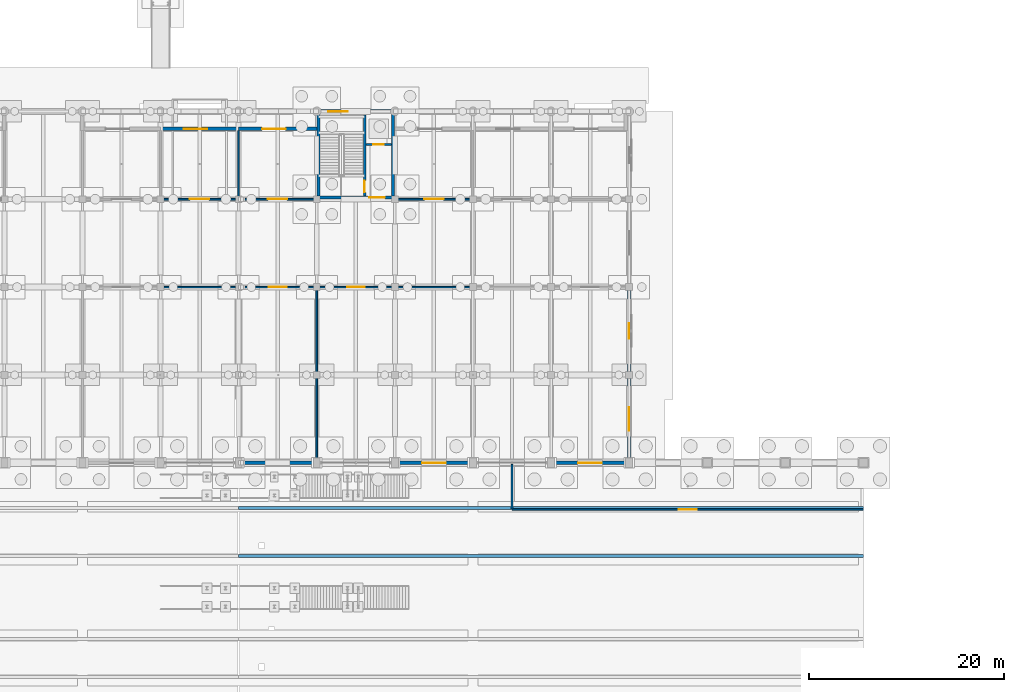
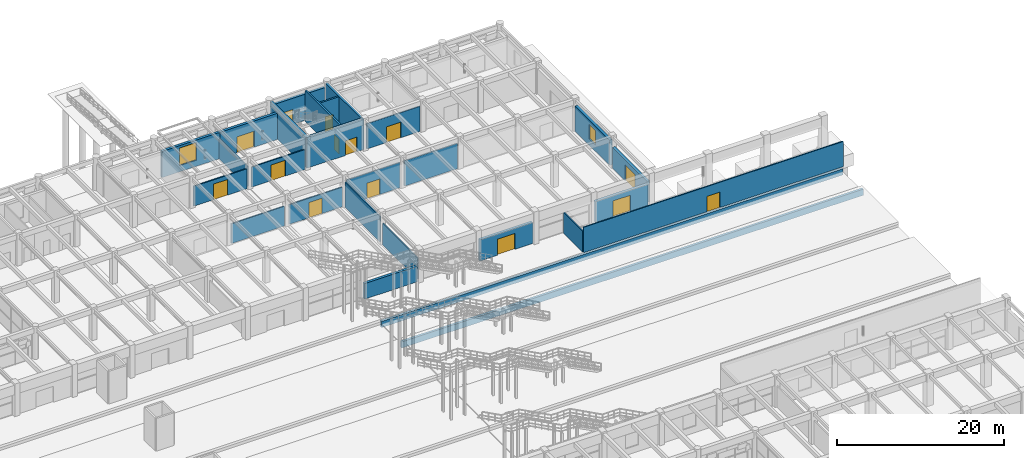
# One storey, part 111 of 147: 27 walls, 14 doors, 2 windows, 16 openings.
"""IFC4 building model written with IfcOpenShell, lengths in metres."""

from ifc_helpers import new_model, si_unit, direction, frame, frame_2d, origin, place, context, subcontext, project, spatial, rectangle, extrude, material, layer, layer_set, type_object, element, fill, save


model = new_model("IFC4")

# Units and contexts
model_context = context("Model", 3, precision=1e-05, world=origin(), true_north=direction((0.0, 1.0)))
body_context = subcontext(model_context, "Body", "Model", "MODEL_VIEW")
ifc_project = project(units=[si_unit("LENGTHUNIT", "METRE"), si_unit("AREAUNIT", "SQUARE_METRE"), si_unit("VOLUMEUNIT", "CUBIC_METRE"), si_unit("PLANEANGLEUNIT", "RADIAN"), si_unit("MASSUNIT", "GRAM", prefix="KILO")], contexts=[model_context])

# Site, building, storey
site_placement = place(None, origin())
site = spatial("IfcSite", under=ifc_project, at=site_placement, CompositionType="ELEMENT")
building_placement = place(site_placement, origin())
building = spatial("IfcBuilding", under=site, at=building_placement, Name="Varnabhumi Central Station", CompositionType="ELEMENT")
storey_placement = place(building_placement, origin())
storey = spatial("IfcBuildingStorey", under=building, at=storey_placement, Name="L00", CompositionType="ELEMENT", Elevation=0.0)

# Walls
ifc_material_1 = material(Name="Concrete M40", Category="concrete")
ifc_layer_1 = layer(ifc_material_1, 0.300048828125, Name="Concrete M40", Category="concrete")
ifc_layer_set_1 = layer_set([ifc_layer_1], Name="Concrete M40")
wall_type_1 = type_object("IfcWallType", Name="WAL-CORE-RC-300", PredefinedType="SHEAR", material=ifc_layer_set_1)
for number, where, z_axis, x_axis, name in (
    (1, (128.179931640625, 107.179931640625, 0.0), (0.0, 0.0, 1.0), (0.0, 1.0, 0.0), "NC3 L00 West Shear Wall"),
    (2, (135.820068359375, 107.179931640625, 0.0), (0.0, 0.0, 1.0), (0.0, 1.0, 0.0), "NC3 L00 East Shear Wall"),
):
    element("IfcWall", number, at=place(storey_placement, frame(where, z_axis=z_axis, x_axis=x_axis)), inside=storey, type_object=wall_type_1, Name=name, PredefinedType="SHEAR", context=body_context, shape_type="SweptSolid", body=[
        extrude(rectangle(XDim=8.64013671875, YDim=0.300048828125, at=frame_2d((4.320068359375, 0.0))), origin(), (0.0, 0.0, 1.0), 4.52001953125),
    ])

# Wall, opening, door
wall_1_placement = place(storey_placement, frame((128.030029296875, 107.179931640625, 0.0), z_axis=(0.0, 0.0, 1.0), x_axis=(1.0, 0.0, 0.0)))
wall_1 = element("IfcWall", 3, at=wall_1_placement, inside=storey, type_object=wall_type_1, Name="NC3 L00 Corridor Shear Wall", PredefinedType="SHEAR", context=body_context, shape_type="SweptSolid", body=[
    extrude(rectangle(XDim=7.93994140625, YDim=0.300048828125, at=frame_2d((3.969970703125, 0.0))), origin(), (0.0, 0.0, 1.0), 4.52001953125),
])
opening_1_placement = place(wall_1_placement, frame((5.35009765625, 0.0, 0.0)))
opening_1 = element("IfcOpeningElement", 4, at=opening_1_placement, cuts=wall_1, Name="Opening FD-60D", PredefinedType="OPENING", context=body_context, shape_type="SweptSolid", body=[
    extrude(rectangle(XDim=1.60009765625, YDim=2.14990234375, at=frame_2d((0.800048828125, 1.074951171875))), frame((0.0, 0.159912109375, 0.0), z_axis=(0.0, -1.0, 0.0), x_axis=(1.0, 0.0, 0.0)), (0.0, 0.0, 1.0), 0.320068359375),
])
ifc_material_2 = material(Name="Intumescent-treated hardwood timber", Category="wood")
door_type_1 = type_object("IfcDoorType", Name="DR-FIRE-60-1600", OperationType="NOTDEFINED", PredefinedType="DOOR", material=ifc_material_2)
door_1_placement = place(opening_1_placement, frame((1.60009765625, 0.0, 0.0), z_axis=(0.0, 0.0, 1.0), x_axis=(-1.0, 0.0, 0.0)))
door_1 = element("IfcDoor", 5, at=door_1_placement, inside=storey, type_object=door_type_1, Name="NC3 L00 Lobby Fire Door", OperationType="DOUBLE_DOOR_SINGLE_SWING", OverallHeight=2.14990234375, OverallWidth=1.60009765625, PredefinedType="DOOR", context=body_context, shape_type="SweptSolid", body=[
    extrude(rectangle(XDim=1.60009765625, YDim=2.14990234375, at=frame_2d((0.800048828125, 1.074951171875))), frame((0.0, 0.02490234375, 0.0), z_axis=(0.0, -1.0, 0.0), x_axis=(1.0, 0.0, 0.0)), (0.0, 0.0, 1.0), 0.050048828125),
])
fill(opening_1, door_1)

# Wall, opening, window
ifc_material_3 = material(Name="Chunar sandstone masonry", Category="masonry")
ifc_layer_2 = layer(ifc_material_3, 0.360107421875, Name="Chunar sandstone masonry", Category="masonry")
ifc_layer_set_2 = layer_set([ifc_layer_2], Name="Chunar sandstone masonry")
wall_type_2 = type_object("IfcWallType", Name="WAL-EXT-SANDSTONE-360", PredefinedType="SOLIDWALL", material=ifc_layer_set_2)
wall_2_placement = place(storey_placement, frame((112.0, 114.199951171875, 0.0), z_axis=(0.0, 0.0, 1.0), x_axis=(1.0, 0.0, 0.0)))
wall_2 = element("IfcWall", 6, at=wall_2_placement, inside=storey, type_object=wall_type_2, Name="North Boulevard Wall L00-15", PredefinedType="SOLIDWALL", context=body_context, shape_type="SweptSolid", body=[
    extrude(rectangle(XDim=8.0, YDim=0.360107421875, at=frame_2d((4.0, 0.0))), origin(), (0.0, 0.0, 1.0), 3.840087890625),
])
opening_2_placement = place(wall_2_placement, frame((2.39990234375, 0.0, 0.89990234375)))
opening_2 = element("IfcOpeningElement", 7, at=opening_2_placement, cuts=wall_2, Name="Opening W-01", PredefinedType="OPENING", context=body_context, shape_type="SweptSolid", body=[
    extrude(rectangle(XDim=2.39990234375, YDim=2.60009765625, at=frame_2d((1.199951171875, 1.300048828125))), frame((0.0, 0.18994140625, 0.0), z_axis=(0.0, -1.0, 0.0), x_axis=(1.0, 0.0, 0.0)), (0.0, 0.0, 1.0), 0.380126953125),
])
ifc_material_4 = material(Name="Laminated low-E double glazing", Category="glass")
window_type_1 = type_object("IfcWindowType", Name="WIN-ARCADE-2400x2600", PartitioningType="DOUBLE_PANEL_VERTICAL", PredefinedType="WINDOW", material=ifc_material_4)
window_1_placement = place(opening_2_placement, origin())
window_1 = element("IfcWindow", 8, at=window_1_placement, inside=storey, type_object=window_type_1, Name="North Arcade Window L00-15", OverallHeight=2.60009765625, OverallWidth=2.39990234375, PartitioningType="SINGLE_PANEL", PredefinedType="WINDOW", context=body_context, shape_type="SweptSolid", body=[
    extrude(rectangle(XDim=2.39990234375, YDim=2.60009765625, at=frame_2d((1.199951171875, 1.300048828125))), frame((0.0, 0.030029296875, 0.0), z_axis=(0.0, -1.0, 0.0), x_axis=(1.0, 0.0, 0.0)), (0.0, 0.0, 1.0), 0.06005859375),
])
fill(opening_2, window_1)

# Wall, opening, door
wall_3_placement = place(storey_placement, frame((120.0, 114.199951171875, 0.0), z_axis=(0.0, 0.0, 1.0), x_axis=(1.0, 0.0, 0.0)))
wall_3 = element("IfcWall", 9, at=wall_3_placement, inside=storey, type_object=wall_type_2, Name="North Boulevard Wall L00-16", PredefinedType="SOLIDWALL", context=body_context, shape_type="SweptSolid", body=[
    extrude(rectangle(XDim=8.0, YDim=0.360107421875, at=frame_2d((4.0, 0.0))), origin(), (0.0, 0.0, 1.0), 3.840087890625),
])
opening_3_placement = place(wall_3_placement, frame((2.39990234375, 0.0, 0.0)))
opening_3 = element("IfcOpeningElement", 10, at=opening_3_placement, cuts=wall_3, Name="Opening ED-1", PredefinedType="OPENING", context=body_context, shape_type="SweptSolid", body=[
    extrude(rectangle(XDim=2.39990234375, YDim=2.35009765625, at=frame_2d((1.199951171875, 1.175048828125))), frame((0.0, 0.18994140625, 0.0), z_axis=(0.0, -1.0, 0.0), x_axis=(1.0, 0.0, 0.0)), (0.0, 0.0, 1.0), 0.380126953125),
])
ifc_material_5 = material(Name="Anodised aluminium 6063-T6", Category="aluminium")
door_type_2 = type_object("IfcDoorType", Name="DR-EXT-PORTAL-2400", OperationType="NOTDEFINED", PredefinedType="DOOR", material=ifc_material_5)
door_2_placement = place(opening_3_placement, origin())
door_2 = element("IfcDoor", 11, at=door_2_placement, inside=storey, type_object=door_type_2, Name="North Boulevard Portal Entrance 16", OperationType="DOUBLE_DOOR_SINGLE_SWING", OverallHeight=2.35009765625, OverallWidth=2.39990234375, PredefinedType="DOOR", context=body_context, shape_type="SweptSolid", body=[
    extrude(rectangle(XDim=2.39990234375, YDim=2.35009765625, at=frame_2d((1.199951171875, 1.175048828125))), frame((0.0, 0.02490234375, 0.0), z_axis=(0.0, -1.0, 0.0), x_axis=(1.0, 0.0, 0.0)), (0.0, 0.0, 1.0), 0.050048828125),
])
fill(opening_3, door_2)

# Wall
wall_4_placement = place(storey_placement, frame((120.344970703125, 80.0, 0.0), z_axis=(0.0, 0.0, 1.0), x_axis=(1.0, 0.0, 0.0)))
element("IfcWall", 12, at=wall_4_placement, inside=storey, type_object=wall_type_2, Name="North Spine Wall L00-16", PredefinedType="SOLIDWALL", context=body_context, shape_type="SweptSolid", body=[
    extrude(rectangle(XDim=7.31005859375, YDim=0.360107421875, at=frame_2d((3.655029296875, 0.0))), origin(), (0.0, 0.0, 1.0), 2.280029296875),
])

# Wall, opening, door
wall_5_placement = place(storey_placement, frame((128.39990234375, 116.0, 0.0), z_axis=(0.0, 0.0, 1.0), x_axis=(1.0, 0.0, 0.0)))
wall_5 = element("IfcWall", 13, at=wall_5_placement, inside=storey, type_object=wall_type_2, Name="North Boulevard Wall L00-17", PredefinedType="SOLIDWALL", context=body_context, shape_type="SweptSolid", body=[
    extrude(rectangle(XDim=7.2001953125, YDim=0.360107421875, at=frame_2d((3.60009765625, 0.0))), origin(), (0.0, 0.0, 1.0), 3.840087890625),
])
opening_4_placement = place(wall_5_placement, frame((0.800048828125, 0.0, 0.0)))
opening_4 = element("IfcOpeningElement", 14, at=opening_4_placement, cuts=wall_5, Name="Opening ED-2", PredefinedType="OPENING", context=body_context, shape_type="SweptSolid", body=[
    extrude(rectangle(XDim=2.0, YDim=2.199951171875, at=frame_2d((1.0, 1.10009765625))), frame((0.0, 0.18994140625, 0.0), z_axis=(0.0, -1.0, 0.0), x_axis=(1.0, 0.0, 0.0)), (0.0, 0.0, 1.0), 0.380126953125),
])
ifc_material_6 = material(Name="Stainless steel Grade 316", Category="steel")
door_type_3 = type_object("IfcDoorType", Name="DR-EXT-EXIT-2000", OperationType="NOTDEFINED", PredefinedType="DOOR", material=ifc_material_6)
door_3_placement = place(opening_4_placement, origin())
door_3 = element("IfcDoor", 15, at=door_3_placement, inside=storey, type_object=door_type_3, Name="North Core Stair Final Exit 128", OperationType="DOUBLE_DOOR_SINGLE_SWING", OverallHeight=2.199951171875, OverallWidth=2.0, PredefinedType="DOOR", context=body_context, shape_type="SweptSolid", body=[
    extrude(rectangle(XDim=2.0, YDim=2.199951171875, at=frame_2d((1.0, 1.10009765625))), frame((0.0, 0.02490234375, 0.0), z_axis=(0.0, -1.0, 0.0), x_axis=(1.0, 0.0, 0.0)), (0.0, 0.0, 1.0), 0.050048828125),
])
fill(opening_4, door_3)

wall_6_placement = place(storey_placement, frame((136.344970703125, 80.0, 0.0), z_axis=(0.0, 0.0, 1.0), x_axis=(1.0, 0.0, 0.0)))
wall_6 = element("IfcWall", 16, at=wall_6_placement, inside=storey, type_object=wall_type_2, Name="North Spine Wall L00-18", PredefinedType="SOLIDWALL", context=body_context, shape_type="SweptSolid", body=[
    extrude(rectangle(XDim=7.31005859375, YDim=0.360107421875, at=frame_2d((3.655029296875, 0.0))), origin(), (0.0, 0.0, 1.0), 3.110107421875),
])
opening_5_placement = place(wall_6_placement, frame((2.455078125, 0.0, 0.0)))
opening_5 = element("IfcOpeningElement", 17, at=opening_5_placement, cuts=wall_6, Name="Opening ED-1", PredefinedType="OPENING", context=body_context, shape_type="SweptSolid", body=[
    extrude(rectangle(XDim=2.39990234375, YDim=2.35009765625, at=frame_2d((1.199951171875, 1.175048828125))), frame((0.0, 0.18994140625, 0.0), z_axis=(0.0, -1.0, 0.0), x_axis=(1.0, 0.0, 0.0)), (0.0, 0.0, 1.0), 0.380126953125),
])
door_4_placement = place(opening_5_placement, frame((2.39990234375, 0.0, 0.0), z_axis=(0.0, 0.0, 1.0), x_axis=(-1.0, 0.0, 0.0)))
door_4 = element("IfcDoor", 18, at=door_4_placement, inside=storey, type_object=door_type_2, Name="North Spine Portal Door L00-18", OperationType="DOUBLE_DOOR_SINGLE_SWING", OverallHeight=2.35009765625, OverallWidth=2.39990234375, PredefinedType="DOOR", context=body_context, shape_type="SweptSolid", body=[
    extrude(rectangle(XDim=2.39990234375, YDim=2.35009765625, at=frame_2d((1.199951171875, 1.175048828125))), frame((0.0, 0.02490234375, 0.0), z_axis=(0.0, -1.0, 0.0), x_axis=(1.0, 0.0, 0.0)), (0.0, 0.0, 1.0), 0.050048828125),
])
fill(opening_5, door_4)

wall_7_placement = place(storey_placement, frame((152.344970703125, 80.0, 0.0), z_axis=(0.0, 0.0, 1.0), x_axis=(1.0, 0.0, 0.0)))
wall_7 = element("IfcWall", 19, at=wall_7_placement, inside=storey, type_object=wall_type_2, Name="North Spine Wall L00-20", PredefinedType="SOLIDWALL", context=body_context, shape_type="SweptSolid", body=[
    extrude(rectangle(XDim=7.31005859375, YDim=0.360107421875, at=frame_2d((3.655029296875, 0.0))), origin(), (0.0, 0.0, 1.0), 3.110107421875),
])
opening_6_placement = place(wall_7_placement, frame((2.455078125, 0.0, 0.0)))
opening_6 = element("IfcOpeningElement", 20, at=opening_6_placement, cuts=wall_7, Name="Opening ED-1", PredefinedType="OPENING", context=body_context, shape_type="SweptSolid", body=[
    extrude(rectangle(XDim=2.39990234375, YDim=2.35009765625, at=frame_2d((1.199951171875, 1.175048828125))), frame((0.0, 0.18994140625, 0.0), z_axis=(0.0, -1.0, 0.0), x_axis=(1.0, 0.0, 0.0)), (0.0, 0.0, 1.0), 0.380126953125),
])
door_5_placement = place(opening_6_placement, frame((2.39990234375, 0.0, 0.0), z_axis=(0.0, 0.0, 1.0), x_axis=(-1.0, 0.0, 0.0)))
door_5 = element("IfcDoor", 21, at=door_5_placement, inside=storey, type_object=door_type_2, Name="North Spine Portal Door L00-20", OperationType="DOUBLE_DOOR_SINGLE_SWING", OverallHeight=2.35009765625, OverallWidth=2.39990234375, PredefinedType="DOOR", context=body_context, shape_type="SweptSolid", body=[
    extrude(rectangle(XDim=2.39990234375, YDim=2.35009765625, at=frame_2d((1.199951171875, 1.175048828125))), frame((0.0, 0.02490234375, 0.0), z_axis=(0.0, -1.0, 0.0), x_axis=(1.0, 0.0, 0.0)), (0.0, 0.0, 1.0), 0.050048828125),
])
fill(opening_6, door_5)

wall_8_placement = place(storey_placement, frame((160.0, 80.39990234375, 0.0), z_axis=(0.0, 0.0, 1.0), x_axis=(0.0, 1.0, 0.0)))
wall_8 = element("IfcWall", 22, at=wall_8_placement, inside=storey, type_object=wall_type_2, Name="North Wing W End Wall L00-1", PredefinedType="SOLIDWALL", context=body_context, shape_type="SweptSolid", body=[
    extrude(rectangle(XDim=8.255126953125, YDim=0.360107421875, at=frame_2d((4.12744140625, 0.0))), origin(), (0.0, 0.0, 1.0), 3.110107421875),
])
opening_7_placement = place(wall_8_placement, frame((2.89990234375, 0.0, 0.0)))
opening_7 = element("IfcOpeningElement", 23, at=opening_7_placement, cuts=wall_8, Name="Opening ED-1", PredefinedType="OPENING", context=body_context, shape_type="SweptSolid", body=[
    extrude(rectangle(XDim=2.39990234375, YDim=2.35009765625, at=frame_2d((1.199951171875, 1.175048828125))), frame((0.0, 0.18994140625, 0.0), z_axis=(0.0, -1.0, 0.0), x_axis=(1.0, 0.0, 0.0)), (0.0, 0.0, 1.0), 0.380126953125),
])
door_6_placement = place(opening_7_placement, origin())
door_6 = element("IfcDoor", 24, at=door_6_placement, inside=storey, type_object=door_type_2, Name="North Wing W Street Entrance 1", OperationType="DOUBLE_DOOR_SINGLE_SWING", OverallHeight=2.35009765625, OverallWidth=2.39990234375, PredefinedType="DOOR", context=body_context, shape_type="SweptSolid", body=[
    extrude(rectangle(XDim=2.39990234375, YDim=2.35009765625, at=frame_2d((1.199951171875, 1.175048828125))), frame((0.0, 0.02490234375, 0.0), z_axis=(0.0, -1.0, 0.0), x_axis=(1.0, 0.0, 0.0)), (0.0, 0.0, 1.0), 0.050048828125),
])
fill(opening_7, door_6)

# Wall, opening, window
wall_9_placement = place(storey_placement, frame((160.0, 89.344970703125, 0.0), z_axis=(0.0, 0.0, 1.0), x_axis=(0.0, 1.0, 0.0)))
wall_9 = element("IfcWall", 25, at=wall_9_placement, inside=storey, type_object=wall_type_2, Name="North Wing W End Wall L00-2", PredefinedType="SOLIDWALL", context=body_context, shape_type="SweptSolid", body=[
    extrude(rectangle(XDim=8.31005859375, YDim=0.360107421875, at=frame_2d((4.155029296875, 0.0))), origin(), (0.0, 0.0, 1.0), 3.7099609375),
])
opening_8_placement = place(wall_9_placement, frame((3.35498046875, 0.0, 0.949951171875)))
opening_8 = element("IfcOpeningElement", 26, at=opening_8_placement, cuts=wall_9, Name="Opening W-04", PredefinedType="OPENING", context=body_context, shape_type="SweptSolid", body=[
    extrude(rectangle(XDim=1.60009765625, YDim=2.10009765625, at=frame_2d((0.800048828125, 1.050048828125))), frame((0.0, 0.18994140625, 0.0), z_axis=(0.0, -1.0, 0.0), x_axis=(1.0, 0.0, 0.0)), (0.0, 0.0, 1.0), 0.380126953125),
])
window_type_2 = type_object("IfcWindowType", Name="WIN-PIER-1600x2200", PartitioningType="SINGLE_PANEL", PredefinedType="WINDOW", material=ifc_material_4)
window_2_placement = place(opening_8_placement, origin())
window_2 = element("IfcWindow", 27, at=window_2_placement, inside=storey, type_object=window_type_2, Name="North W Window L00-2", OverallHeight=2.10009765625, OverallWidth=1.60009765625, PartitioningType="SINGLE_PANEL", PredefinedType="WINDOW", context=body_context, shape_type="SweptSolid", body=[
    extrude(rectangle(XDim=1.60009765625, YDim=2.10009765625, at=frame_2d((0.800048828125, 1.050048828125))), frame((0.0, 0.030029296875, 0.0), z_axis=(0.0, -1.0, 0.0), x_axis=(1.0, 0.0, 0.0)), (0.0, 0.0, 1.0), 0.06005859375),
])
fill(opening_8, window_2)

# Wall, opening, door
ifc_material_7 = material(Name="Autoclaved aerated blockwork masonry", Category="masonry")
ifc_layer_3 = layer(ifc_material_7, 0.159912109375, Name="Autoclaved aerated blockwork masonry", Category="masonry")
ifc_layer_set_3 = layer_set([ifc_layer_3], Name="Autoclaved aerated blockwork masonry")
wall_type_3 = type_object("IfcWallType", Name="WAL-PART-AAC-160", PredefinedType="PARTITIONING", material=ifc_layer_set_3)
wall_10_placement = place(storey_placement, frame((112.300048828125, 107.0, 0.0), z_axis=(0.0, 0.0, 1.0), x_axis=(1.0, 0.0, 0.0)))
wall_10 = element("IfcWall", 28, at=wall_10_placement, inside=storey, type_object=wall_type_3, Name="Travel Retail Shop 03 Corridor Partition 1", PredefinedType="PARTITIONING", context=body_context, shape_type="SweptSolid", body=[
    extrude(rectangle(XDim=7.39990234375, YDim=0.159912109375, at=frame_2d((3.699951171875, 0.0))), origin(), (0.0, 0.0, 1.0), 2.929931640625),
])
opening_9_placement = place(wall_10_placement, frame((2.699951171875, 0.0, 0.0)))
opening_9 = element("IfcOpeningElement", 29, at=opening_9_placement, cuts=wall_10, Name="Opening D-03", PredefinedType="OPENING", context=body_context, shape_type="SweptSolid", body=[
    extrude(rectangle(XDim=2.0, YDim=2.300048828125, at=frame_2d((1.0, 1.14990234375))), frame((0.0, 0.08984375, 0.0), z_axis=(0.0, -1.0, 0.0), x_axis=(1.0, 0.0, 0.0)), (0.0, 0.0, 1.0), 0.179931640625),
])
door_type_4 = type_object("IfcDoorType", Name="DR-SHOP-2000", OperationType="NOTDEFINED", PredefinedType="DOOR", material=ifc_material_5)
door_7_placement = place(opening_9_placement, frame((2.0, 0.0, 0.0), z_axis=(0.0, 0.0, 1.0), x_axis=(-1.0, 0.0, 0.0)))
door_7 = element("IfcDoor", 30, at=door_7_placement, inside=storey, type_object=door_type_4, Name="Travel Retail Shop 03 Door 1", OperationType="DOUBLE_DOOR_SINGLE_SWING", OverallHeight=2.300048828125, OverallWidth=2.0, PredefinedType="DOOR", context=body_context, shape_type="SweptSolid", body=[
    extrude(rectangle(XDim=2.0, YDim=2.300048828125, at=frame_2d((1.0, 1.14990234375))), frame((0.0, 0.02490234375, 0.0), z_axis=(0.0, -1.0, 0.0), x_axis=(1.0, 0.0, 0.0)), (0.0, 0.0, 1.0), 0.050048828125),
])
fill(opening_9, door_7)

# Wall
wall_11_placement = place(storey_placement, frame((120.0, 107.300048828125, 0.0), z_axis=(0.0, 0.0, 1.0), x_axis=(0.0, 1.0, 0.0)))
element("IfcWall", 31, at=wall_11_placement, inside=storey, type_object=wall_type_3, Name="Travel Retail Shop 03 W Partition 1", PredefinedType="PARTITIONING", context=body_context, shape_type="SweptSolid", body=[
    extrude(rectangle(XDim=6.739990234375, YDim=0.159912109375, at=frame_2d((3.3701171875, 0.0))), origin(), (0.0, 0.0, 1.0), 2.929931640625),
])

# Wall, opening, door
wall_12_placement = place(storey_placement, frame((120.300048828125, 107.0, 0.0), z_axis=(0.0, 0.0, 1.0), x_axis=(1.0, 0.0, 0.0)))
wall_12 = element("IfcWall", 32, at=wall_12_placement, inside=storey, type_object=wall_type_3, Name="Station Pharmacy Corridor Partition 1", PredefinedType="PARTITIONING", context=body_context, shape_type="SweptSolid", body=[
    extrude(rectangle(XDim=7.39990234375, YDim=0.159912109375, at=frame_2d((3.699951171875, 0.0))), origin(), (0.0, 0.0, 1.0), 2.929931640625),
])
opening_10_placement = place(wall_12_placement, frame((2.699951171875, 0.0, 0.0)))
opening_10 = element("IfcOpeningElement", 33, at=opening_10_placement, cuts=wall_12, Name="Opening D-03", PredefinedType="OPENING", context=body_context, shape_type="SweptSolid", body=[
    extrude(rectangle(XDim=2.0, YDim=2.300048828125, at=frame_2d((1.0, 1.14990234375))), frame((0.0, 0.08984375, 0.0), z_axis=(0.0, -1.0, 0.0), x_axis=(1.0, 0.0, 0.0)), (0.0, 0.0, 1.0), 0.179931640625),
])
door_8_placement = place(opening_10_placement, frame((2.0, 0.0, 0.0), z_axis=(0.0, 0.0, 1.0), x_axis=(-1.0, 0.0, 0.0)))
door_8 = element("IfcDoor", 34, at=door_8_placement, inside=storey, type_object=door_type_4, Name="Station Pharmacy Door 1", OperationType="DOUBLE_DOOR_SINGLE_SWING", OverallHeight=2.300048828125, OverallWidth=2.0, PredefinedType="DOOR", context=body_context, shape_type="SweptSolid", body=[
    extrude(rectangle(XDim=2.0, YDim=2.300048828125, at=frame_2d((1.0, 1.14990234375))), frame((0.0, 0.02490234375, 0.0), z_axis=(0.0, -1.0, 0.0), x_axis=(1.0, 0.0, 0.0)), (0.0, 0.0, 1.0), 0.050048828125),
])
fill(opening_10, door_8)

wall_13_placement = place(storey_placement, frame((136.300048828125, 107.0, 0.0), z_axis=(0.0, 0.0, 1.0), x_axis=(1.0, 0.0, 0.0)))
wall_13 = element("IfcWall", 35, at=wall_13_placement, inside=storey, type_object=wall_type_3, Name="Railway Book Stall and Newsagent Corridor Partition 1", PredefinedType="PARTITIONING", context=body_context, shape_type="SweptSolid", body=[
    extrude(rectangle(XDim=7.39990234375, YDim=0.159912109375, at=frame_2d((3.699951171875, 0.0))), origin(), (0.0, 0.0, 1.0), 3.699951171875),
])
opening_11_placement = place(wall_13_placement, frame((2.699951171875, 0.0, 0.0)))
opening_11 = element("IfcOpeningElement", 36, at=opening_11_placement, cuts=wall_13, Name="Opening D-03", PredefinedType="OPENING", context=body_context, shape_type="SweptSolid", body=[
    extrude(rectangle(XDim=2.0, YDim=2.300048828125, at=frame_2d((1.0, 1.14990234375))), frame((0.0, 0.08984375, 0.0), z_axis=(0.0, -1.0, 0.0), x_axis=(1.0, 0.0, 0.0)), (0.0, 0.0, 1.0), 0.179931640625),
])
door_9_placement = place(opening_11_placement, frame((2.0, 0.0, 0.0), z_axis=(0.0, 0.0, 1.0), x_axis=(-1.0, 0.0, 0.0)))
door_9 = element("IfcDoor", 37, at=door_9_placement, inside=storey, type_object=door_type_4, Name="Railway Book Stall and Newsagent Door 1", OperationType="DOUBLE_DOOR_SINGLE_SWING", OverallHeight=2.300048828125, OverallWidth=2.0, PredefinedType="DOOR", context=body_context, shape_type="SweptSolid", body=[
    extrude(rectangle(XDim=2.0, YDim=2.300048828125, at=frame_2d((1.0, 1.14990234375))), frame((0.0, 0.02490234375, 0.0), z_axis=(0.0, -1.0, 0.0), x_axis=(1.0, 0.0, 0.0)), (0.0, 0.0, 1.0), 0.050048828125),
])
fill(opening_11, door_9)

# Wall
wall_14_placement = place(storey_placement, frame((112.300048828125, 98.0, 0.0), z_axis=(0.0, 0.0, 1.0), x_axis=(1.0, 0.0, 0.0)))
element("IfcWall", 38, at=wall_14_placement, inside=storey, type_object=wall_type_3, Name="Forecourt Espresso and Snack Bar Corridor Partition 2", PredefinedType="PARTITIONING", context=body_context, shape_type="SweptSolid", body=[
    extrude(rectangle(XDim=7.39990234375, YDim=0.159912109375, at=frame_2d((3.699951171875, 0.0))), origin(), (0.0, 0.0, 1.0), 2.8798828125),
])

# Wall, opening, door
wall_15_placement = place(storey_placement, frame((120.300048828125, 98.0, 0.0), z_axis=(0.0, 0.0, 1.0), x_axis=(1.0, 0.0, 0.0)))
wall_15 = element("IfcWall", 39, at=wall_15_placement, inside=storey, type_object=wall_type_3, Name="Forecourt Espresso and Snack Bar Corridor Partition 3", PredefinedType="PARTITIONING", context=body_context, shape_type="SweptSolid", body=[
    extrude(rectangle(XDim=7.39990234375, YDim=0.159912109375, at=frame_2d((3.699951171875, 0.0))), origin(), (0.0, 0.0, 1.0), 2.8798828125),
])
opening_12_placement = place(wall_15_placement, frame((2.800048828125, 0.0, 0.0)))
opening_12 = element("IfcOpeningElement", 40, at=opening_12_placement, cuts=wall_15, Name="Opening D-02", PredefinedType="OPENING", context=body_context, shape_type="SweptSolid", body=[
    extrude(rectangle(XDim=1.800048828125, YDim=2.25, at=frame_2d((0.89990234375, 1.125))), frame((0.0, 0.08984375, 0.0), z_axis=(0.0, -1.0, 0.0), x_axis=(1.0, 0.0, 0.0)), (0.0, 0.0, 1.0), 0.179931640625),
])
door_type_5 = type_object("IfcDoorType", Name="DR-LOUNGE-1800", OperationType="NOTDEFINED", PredefinedType="DOOR", material=ifc_material_5)
door_10_placement = place(opening_12_placement, origin())
door_10 = element("IfcDoor", 41, at=door_10_placement, inside=storey, type_object=door_type_5, Name="Forecourt Espresso and Snack Bar Door 3", OperationType="DOUBLE_DOOR_SINGLE_SWING", OverallHeight=2.25, OverallWidth=1.800048828125, PredefinedType="DOOR", context=body_context, shape_type="SweptSolid", body=[
    extrude(rectangle(XDim=1.800048828125, YDim=2.25, at=frame_2d((0.89990234375, 1.125))), frame((0.0, 0.02490234375, 0.0), z_axis=(0.0, -1.0, 0.0), x_axis=(1.0, 0.0, 0.0)), (0.0, 0.0, 1.0), 0.050048828125),
])
fill(opening_12, door_10)

# Walls
wall_16_placement = place(storey_placement, frame((128.0, 80.300048828125, 0.0), z_axis=(0.0, 0.0, 1.0), x_axis=(0.0, 1.0, 0.0)))
element("IfcWall", 42, at=wall_16_placement, inside=storey, type_object=wall_type_3, Name="Forecourt Espresso and Snack Bar W Partition 1", PredefinedType="PARTITIONING", context=body_context, shape_type="SweptSolid", body=[
    extrude(rectangle(XDim=8.39990234375, YDim=0.159912109375, at=frame_2d((4.199951171875, 0.0))), origin(), (0.0, 0.0, 1.0), 3.110107421875),
])
wall_17_placement = place(storey_placement, frame((128.0, 89.300048828125, 0.0), z_axis=(0.0, 0.0, 1.0), x_axis=(0.0, 1.0, 0.0)))
element("IfcWall", 43, at=wall_17_placement, inside=storey, type_object=wall_type_3, Name="Forecourt Espresso and Snack Bar W Partition 2", PredefinedType="PARTITIONING", context=body_context, shape_type="SweptSolid", body=[
    extrude(rectangle(XDim=8.39990234375, YDim=0.159912109375, at=frame_2d((4.199951171875, 0.0))), origin(), (0.0, 0.0, 1.0), 3.699951171875),
])

# Wall, opening, door
wall_18_placement = place(storey_placement, frame((128.300048828125, 98.0, 0.0), z_axis=(0.0, 0.0, 1.0), x_axis=(1.0, 0.0, 0.0)))
wall_18 = element("IfcWall", 44, at=wall_18_placement, inside=storey, type_object=wall_type_3, Name="Passenger Information and Community Desk Corridor Partition 1", PredefinedType="PARTITIONING", context=body_context, shape_type="SweptSolid", body=[
    extrude(rectangle(XDim=7.39990234375, YDim=0.159912109375, at=frame_2d((3.699951171875, 0.0))), origin(), (0.0, 0.0, 1.0), 3.699951171875),
])
opening_13_placement = place(wall_18_placement, frame((2.800048828125, 0.0, 0.0)))
opening_13 = element("IfcOpeningElement", 45, at=opening_13_placement, cuts=wall_18, Name="Opening D-02", PredefinedType="OPENING", context=body_context, shape_type="SweptSolid", body=[
    extrude(rectangle(XDim=1.800048828125, YDim=2.25, at=frame_2d((0.89990234375, 1.125))), frame((0.0, 0.08984375, 0.0), z_axis=(0.0, -1.0, 0.0), x_axis=(1.0, 0.0, 0.0)), (0.0, 0.0, 1.0), 0.179931640625),
])
door_11_placement = place(opening_13_placement, origin())
door_11 = element("IfcDoor", 46, at=door_11_placement, inside=storey, type_object=door_type_5, Name="Passenger Information and Community Desk Door 1", OperationType="DOUBLE_DOOR_SINGLE_SWING", OverallHeight=2.25, OverallWidth=1.800048828125, PredefinedType="DOOR", context=body_context, shape_type="SweptSolid", body=[
    extrude(rectangle(XDim=1.800048828125, YDim=2.25, at=frame_2d((0.89990234375, 1.125))), frame((0.0, 0.02490234375, 0.0), z_axis=(0.0, -1.0, 0.0), x_axis=(1.0, 0.0, 0.0)), (0.0, 0.0, 1.0), 0.050048828125),
])
fill(opening_13, door_11)

# Wall
wall_19_placement = place(storey_placement, frame((136.300048828125, 98.0, 0.0), z_axis=(0.0, 0.0, 1.0), x_axis=(1.0, 0.0, 0.0)))
element("IfcWall", 47, at=wall_19_placement, inside=storey, type_object=wall_type_3, Name="Passenger Information and Community Desk Corridor Partition 2", PredefinedType="PARTITIONING", context=body_context, shape_type="SweptSolid", body=[
    extrude(rectangle(XDim=7.39990234375, YDim=0.159912109375, at=frame_2d((3.699951171875, 0.0))), origin(), (0.0, 0.0, 1.0), 3.699951171875),
])

# Wall, opening, door
wall_20_placement = place(storey_placement, frame((148.0, 75.199951171875, 0.0), z_axis=(0.0, 0.0, 1.0), x_axis=(1.0, 0.0, 0.0)))
wall_20 = element("IfcWall", 48, at=wall_20_placement, inside=storey, type_object=wall_type_3, Name="Platform 4 Seated Waiting Shelter Corridor Partition 1", PredefinedType="PARTITIONING", context=body_context, shape_type="SweptSolid", body=[
    extrude(rectangle(XDim=36.0, YDim=0.159912109375, at=frame_2d((18.0, 0.0))), origin(), (0.0, 0.0, 1.0), 3.699951171875),
])
opening_14_placement = place(wall_20_placement, frame((17.10009765625, 0.0, 0.0)))
opening_14 = element("IfcOpeningElement", 49, at=opening_14_placement, cuts=wall_20, Name="Opening D-02", PredefinedType="OPENING", context=body_context, shape_type="SweptSolid", body=[
    extrude(rectangle(XDim=1.800048828125, YDim=2.25, at=frame_2d((0.89990234375, 1.125))), frame((0.0, 0.08984375, 0.0), z_axis=(0.0, -1.0, 0.0), x_axis=(1.0, 0.0, 0.0)), (0.0, 0.0, 1.0), 0.179931640625),
])
door_12_placement = place(opening_14_placement, frame((1.800048828125, 0.0, 0.0), z_axis=(0.0, 0.0, 1.0), x_axis=(-1.0, 0.0, 0.0)))
door_12 = element("IfcDoor", 50, at=door_12_placement, inside=storey, type_object=door_type_5, Name="Platform 4 Seated Waiting Shelter Door 1", OperationType="DOUBLE_DOOR_SINGLE_SWING", OverallHeight=2.25, OverallWidth=1.800048828125, PredefinedType="DOOR", context=body_context, shape_type="SweptSolid", body=[
    extrude(rectangle(XDim=1.800048828125, YDim=2.25, at=frame_2d((0.89990234375, 1.125))), frame((0.0, 0.02490234375, 0.0), z_axis=(0.0, -1.0, 0.0), x_axis=(1.0, 0.0, 0.0)), (0.0, 0.0, 1.0), 0.050048828125),
])
fill(opening_14, door_12)

# Walls
wall_21_placement = place(storey_placement, frame((148.0, 75.280029296875, 0.0), z_axis=(0.0, 0.0, 1.0), x_axis=(0.0, 1.0, 0.0)))
element("IfcWall", 51, at=wall_21_placement, inside=storey, type_object=wall_type_3, Name="Platform 4 Seated Waiting Shelter E Partition 1", PredefinedType="PARTITIONING", context=body_context, shape_type="SweptSolid", body=[
    extrude(rectangle(XDim=4.56005859375, YDim=0.159912109375, at=frame_2d((2.280029296875, 0.0))), origin(), (0.0, 0.0, 1.0), 3.110107421875),
])
ifc_layer_4 = layer(ifc_material_1, 0.320068359375, Name="Concrete M40", Category="concrete")
ifc_layer_set_4 = layer_set([ifc_layer_4], Name="Concrete M40")
wall_type_4 = type_object("IfcWallType", Name="WAL-PLAT-RET-320", PredefinedType="USERDEFINED", material=ifc_layer_set_4)
for number, where, z_axis, x_axis, name in (
    (52, (120.0, 70.43994140625, -1.2548828125), (0.0, 0.0, 1.0), (1.0, 0.0, 0.0), "Platform 3 Retaining Wall N2"),
    (53, (120.0, 75.360107421875, -1.2548828125), (0.0, 0.0, 1.0), (1.0, 0.0, 0.0), "Platform 4 Retaining Wall S2"),
):
    element("IfcWall", number, at=place(storey_placement, frame(where, z_axis=z_axis, x_axis=x_axis)), inside=storey, type_object=wall_type_4, Name=name, ObjectType="RETAINING WALL", PredefinedType="USERDEFINED", context=body_context, shape_type="SweptSolid", body=[
        extrude(rectangle(XDim=64.0, YDim=0.320068359375, at=frame_2d((32.0, 0.0))), origin(), (0.0, 0.0, 1.0), 0.90478515625),
    ])

# Wall, opening, door
ifc_layer_5 = layer(ifc_material_1, 0.239990234375, Name="Concrete M40", Category="concrete")
ifc_layer_set_5 = layer_set([ifc_layer_5], Name="Concrete M40")
wall_type_5 = type_object("IfcWallType", Name="WAL-SHAFT-RC-240", PredefinedType="SHEAR", material=ifc_layer_set_5)
wall_22_placement = place(storey_placement, frame((132.89990234375, 107.35009765625, 0.0), z_axis=(0.0, 0.0, 1.0), x_axis=(0.0, 1.0, 0.0)))
wall_22 = element("IfcWall", 54, at=wall_22_placement, inside=storey, type_object=wall_type_5, Name="NC3 L00 Stair-Lobby Divider Wall", PredefinedType="SHEAR", context=body_context, shape_type="SweptSolid", body=[
    extrude(rectangle(XDim=8.2998046875, YDim=0.239990234375, at=frame_2d((4.14990234375, 0.0))), origin(), (0.0, 0.0, 1.0), 4.52001953125),
])
opening_15_placement = place(wall_22_placement, frame((0.35009765625, 0.0, 0.0)))
opening_15 = element("IfcOpeningElement", 55, at=opening_15_placement, cuts=wall_22, Name="Opening FD-120", PredefinedType="OPENING", context=body_context, shape_type="SweptSolid", body=[
    extrude(rectangle(XDim=1.199951171875, YDim=2.14990234375, at=frame_2d((0.60009765625, 1.074951171875))), frame((0.0, 0.1298828125, 0.0), z_axis=(0.0, -1.0, 0.0), x_axis=(1.0, 0.0, 0.0)), (0.0, 0.0, 1.0), 0.260009765625),
])
door_type_6 = type_object("IfcDoorType", Name="DR-FIRE-120-1200", OperationType="NOTDEFINED", PredefinedType="DOOR", material=ifc_material_6)
door_13_placement = place(opening_15_placement, frame((1.199951171875, 0.0, 0.0), z_axis=(0.0, 0.0, 1.0), x_axis=(-1.0, 0.0, 0.0)))
door_13 = element("IfcDoor", 56, at=door_13_placement, inside=storey, type_object=door_type_6, Name="ST-N3 L00 Fire Door", OperationType="SINGLE_SWING_LEFT", OverallHeight=2.14990234375, OverallWidth=1.199951171875, PredefinedType="DOOR", context=body_context, shape_type="SweptSolid", body=[
    extrude(rectangle(XDim=1.199951171875, YDim=2.14990234375, at=frame_2d((0.60009765625, 1.074951171875))), frame((0.0, 0.02490234375, 0.0), z_axis=(0.0, -1.0, 0.0), x_axis=(1.0, 0.0, 0.0)), (0.0, 0.0, 1.0), 0.050048828125),
])
fill(opening_15, door_13)

wall_23_placement = place(storey_placement, frame((133.02001953125, 112.60009765625, 0.0), z_axis=(0.0, 0.0, 1.0), x_axis=(1.0, 0.0, 0.0)))
wall_23 = element("IfcWall", 57, at=wall_23_placement, inside=storey, type_object=wall_type_5, Name="PL-6 L00 Lift Shaft Front Wall", PredefinedType="SHEAR", context=body_context, shape_type="SweptSolid", body=[
    extrude(rectangle(XDim=2.6298828125, YDim=0.239990234375, at=frame_2d((1.31494140625, 0.0))), origin(), (0.0, 0.0, 1.0), 4.52001953125),
])
opening_16_placement = place(wall_23_placement, frame((0.764892578125, 0.0, 0.0)))
opening_16 = element("IfcOpeningElement", 58, at=opening_16_placement, cuts=wall_23, Name="Opening LD-PL-6", PredefinedType="OPENING", context=body_context, shape_type="SweptSolid", body=[
    extrude(rectangle(XDim=1.10009765625, YDim=2.14990234375, at=frame_2d((0.550048828125, 1.074951171875))), frame((0.0, 0.1298828125, 0.0), z_axis=(0.0, -1.0, 0.0), x_axis=(1.0, 0.0, 0.0)), (0.0, 0.0, 1.0), 0.260009765625),
])
door_type_7 = type_object("IfcDoorType", Name="DR-LIFT-PASS-1100", OperationType="NOTDEFINED", PredefinedType="DOOR", material=ifc_material_6)
door_14_placement = place(opening_16_placement, origin())
door_14 = element("IfcDoor", 59, at=door_14_placement, inside=storey, type_object=door_type_7, Name="Lift Landing Door PL-6 L00", OperationType="DOUBLE_DOOR_SLIDING", OverallHeight=2.14990234375, OverallWidth=1.10009765625, PredefinedType="DOOR", context=body_context, shape_type="SweptSolid", body=[
    extrude(rectangle(XDim=1.10009765625, YDim=2.14990234375, at=frame_2d((0.550048828125, 1.074951171875))), frame((0.0, 0.02490234375, 0.0), z_axis=(0.0, -1.0, 0.0), x_axis=(1.0, 0.0, 0.0)), (0.0, 0.0, 1.0), 0.050048828125),
])
fill(opening_16, door_14)

save(model, "model.ifc")
